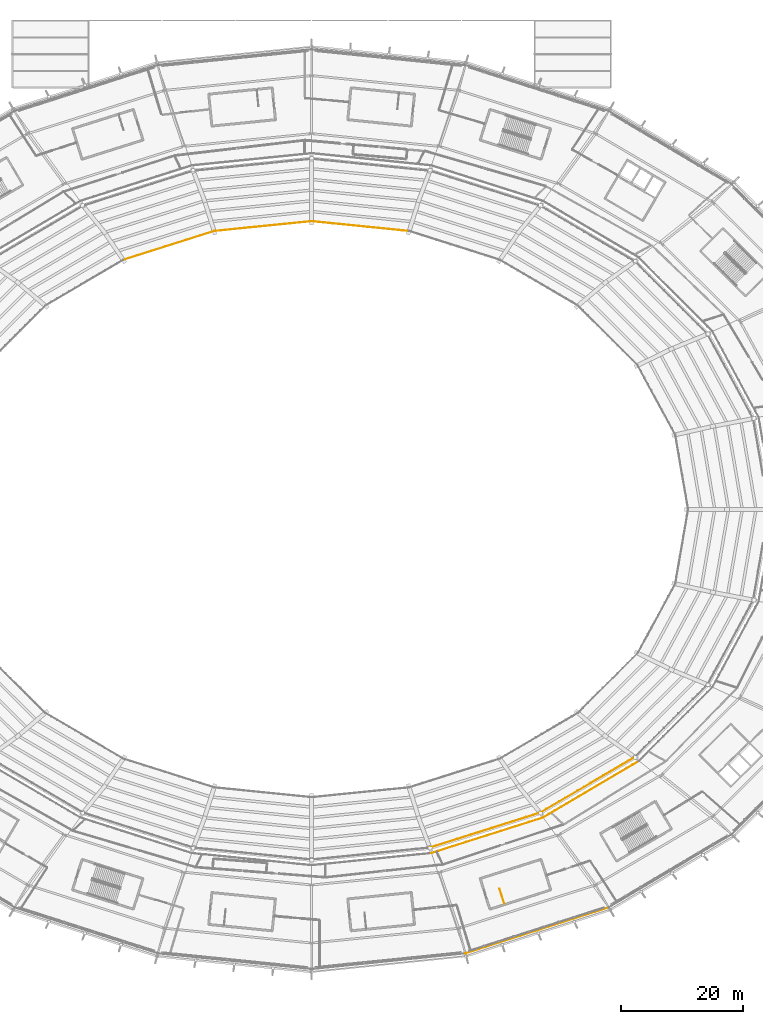
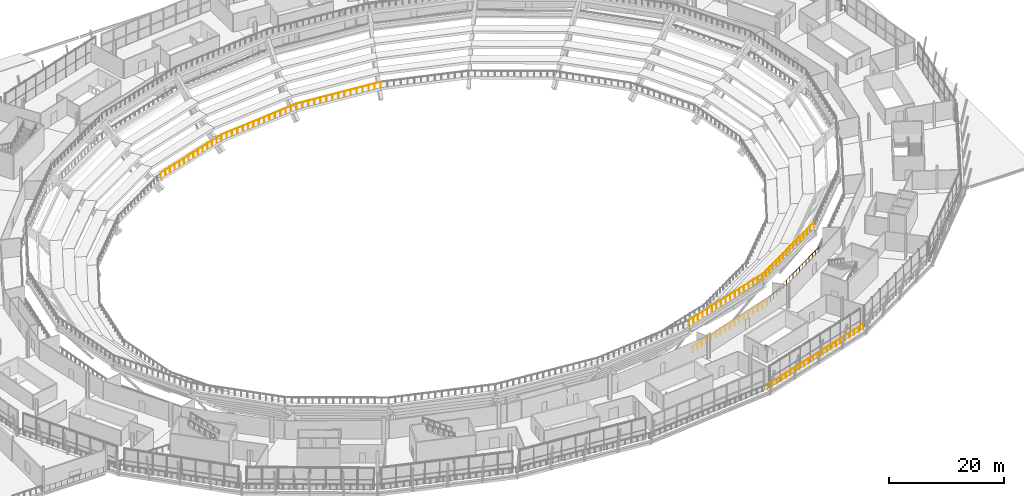
# One storey, part 116 of 126: 9 railings.
"""IFC4 building model written with IfcOpenShell, lengths in metres."""

from ifc_helpers import new_model, si_unit, direction, frame, origin, origin_2d, place, context, subcontext, project, spatial, rectangle, extrude, material, type_object, element, save


model = new_model("IFC4")

# Units and contexts
model_context = context("Model", 3, precision=1e-05, world=origin(), true_north=direction((0.0, 1.0)))
body_context = subcontext(model_context, "Body", "Model", "MODEL_VIEW")
ifc_project = project(units=[si_unit("LENGTHUNIT", "METRE"), si_unit("AREAUNIT", "SQUARE_METRE"), si_unit("VOLUMEUNIT", "CUBIC_METRE"), si_unit("PLANEANGLEUNIT", "RADIAN"), si_unit("MASSUNIT", "GRAM", prefix="KILO")], contexts=[model_context])

# Site, building, storey
site_placement = place(None, origin())
site = spatial("IfcSite", under=ifc_project, at=site_placement, CompositionType="ELEMENT")
building_placement = place(site_placement, origin())
building = spatial("IfcBuilding", under=site, at=building_placement, Name="Zlatoyarsky Gate Stadium", CompositionType="ELEMENT")
storey_placement = place(building_placement, frame((0.0, 0.0, 20.800048828125)))
storey = spatial("IfcBuildingStorey", under=building, at=storey_placement, Name="L04", CompositionType="ELEMENT", Elevation=20.800048828125)

# Railings
ifc_material_1 = material(Name="Galvanised steel sightline guardrail", Category="steel")
railing_type_1 = type_object("IfcRailingType", Name="BOWL FRONT SIGHTLINE GUARDRAIL 1150", PredefinedType="GUARDRAIL", material=ifc_material_1)
railing_1_placement = place(storey_placement, frame((126.956298828125, 125.54345703125, -4.400146484375)))
element("IfcRailing", 1, at=railing_1_placement, inside=storey, type_object=railing_type_1, Name="Upper bowl front guardrail 05", PredefinedType="GUARDRAIL", context=body_context, shape_type="SweptSolid", body=[
    extrude(rectangle(XDim=0.048095703125, YDim=0.048095703125, at=origin_2d()), frame((0.0, 0.0, 1.1259765625), z_axis=(-0.994970193255, 0.100171425733, 0.0), x_axis=(-0.100171425733, -0.994970193255, 0.0)), (0.0, 0.0, 1.0), 16.036865234375),
    extrude(rectangle(XDim=0.0419921875, YDim=0.0419921875, at=origin_2d()), origin(), (0.0, 0.0, 1.0), 1.101806640625),
    extrude(rectangle(XDim=0.0419921875, YDim=0.0419921875, at=origin_2d()), frame((-1.1396484375, 0.11474609375, 0.0)), (0.0, 0.0, 1.0), 1.101806640625),
    extrude(rectangle(XDim=0.0419921875, YDim=0.0419921875, at=origin_2d()), frame((-2.279541015625, 0.2294921875, 0.0)), (0.0, 0.0, 1.0), 1.101806640625),
    extrude(rectangle(XDim=0.0419921875, YDim=0.0419921875, at=origin_2d()), frame((-3.419189453125, 0.34423828125, 0.0)), (0.0, 0.0, 1.0), 1.101806640625),
    extrude(rectangle(XDim=0.0419921875, YDim=0.0419921875, at=origin_2d()), frame((-4.558837890625, 0.458984375, 0.0)), (0.0, 0.0, 1.0), 1.101806640625),
    extrude(rectangle(XDim=0.0419921875, YDim=0.0419921875, at=origin_2d()), frame((-5.69873046875, 0.57373046875, 0.0)), (0.0, 0.0, 1.0), 1.101806640625),
    extrude(rectangle(XDim=0.0419921875, YDim=0.0419921875, at=origin_2d()), frame((-6.83837890625, 0.6884765625, 0.0)), (0.0, 0.0, 1.0), 1.101806640625),
    extrude(rectangle(XDim=0.0419921875, YDim=0.0419921875, at=origin_2d()), frame((-7.97802734375, 0.80322265625, 0.0)), (0.0, 0.0, 1.0), 1.101806640625),
    extrude(rectangle(XDim=0.0419921875, YDim=0.0419921875, at=origin_2d()), frame((-9.117919921875, 0.91796875, 0.0)), (0.0, 0.0, 1.0), 1.101806640625),
    extrude(rectangle(XDim=0.0419921875, YDim=0.0419921875, at=origin_2d()), frame((-10.257568359375, 1.03271484375, 0.0)), (0.0, 0.0, 1.0), 1.101806640625),
    extrude(rectangle(XDim=0.0419921875, YDim=0.0419921875, at=origin_2d()), frame((-11.3974609375, 1.1474609375, 0.0)), (0.0, 0.0, 1.0), 1.101806640625),
    extrude(rectangle(XDim=0.0419921875, YDim=0.0419921875, at=origin_2d()), frame((-12.537109375, 1.26220703125, 0.0)), (0.0, 0.0, 1.0), 1.101806640625),
    extrude(rectangle(XDim=0.0419921875, YDim=0.0419921875, at=origin_2d()), frame((-13.6767578125, 1.376953125, 0.0)), (0.0, 0.0, 1.0), 1.101806640625),
    extrude(rectangle(XDim=0.0419921875, YDim=0.0419921875, at=origin_2d()), frame((-14.816650390625, 1.49169921875, 0.0)), (0.0, 0.0, 1.0), 1.101806640625),
    extrude(rectangle(XDim=0.0419921875, YDim=0.0419921875, at=origin_2d()), frame((-15.956298828125, 1.6064453125, 0.0)), (0.0, 0.0, 1.0), 1.101806640625),
])
railing_2_placement = place(storey_placement, frame((111.0, 127.14990234375, -4.400146484375)))
element("IfcRailing", 2, at=railing_2_placement, inside=storey, type_object=railing_type_1, Name="Upper bowl front guardrail 06", PredefinedType="GUARDRAIL", context=body_context, shape_type="SweptSolid", body=[
    extrude(rectangle(XDim=0.048095703125, YDim=0.048095703125, at=origin_2d()), frame((0.0, 0.0, 1.1259765625), z_axis=(-0.994970193255, -0.100171425733, 0.0), x_axis=(0.100171425733, -0.994970193255, 0.0)), (0.0, 0.0, 1.0), 16.036865234375),
    extrude(rectangle(XDim=0.0419921875, YDim=0.0419921875, at=origin_2d()), origin(), (0.0, 0.0, 1.0), 1.101806640625),
    extrude(rectangle(XDim=0.0419921875, YDim=0.0419921875, at=origin_2d()), frame((-1.1396484375, -0.11474609375, 0.0)), (0.0, 0.0, 1.0), 1.101806640625),
    extrude(rectangle(XDim=0.0419921875, YDim=0.0419921875, at=origin_2d()), frame((-2.279541015625, -0.2294921875, 0.0)), (0.0, 0.0, 1.0), 1.101806640625),
    extrude(rectangle(XDim=0.0419921875, YDim=0.0419921875, at=origin_2d()), frame((-3.419189453125, -0.34423828125, 0.0)), (0.0, 0.0, 1.0), 1.101806640625),
    extrude(rectangle(XDim=0.0419921875, YDim=0.0419921875, at=origin_2d()), frame((-4.558837890625, -0.458984375, 0.0)), (0.0, 0.0, 1.0), 1.101806640625),
    extrude(rectangle(XDim=0.0419921875, YDim=0.0419921875, at=origin_2d()), frame((-5.69873046875, -0.57373046875, 0.0)), (0.0, 0.0, 1.0), 1.101806640625),
    extrude(rectangle(XDim=0.0419921875, YDim=0.0419921875, at=origin_2d()), frame((-6.83837890625, -0.6884765625, 0.0)), (0.0, 0.0, 1.0), 1.101806640625),
    extrude(rectangle(XDim=0.0419921875, YDim=0.0419921875, at=origin_2d()), frame((-7.97802734375, -0.80322265625, 0.0)), (0.0, 0.0, 1.0), 1.101806640625),
    extrude(rectangle(XDim=0.0419921875, YDim=0.0419921875, at=origin_2d()), frame((-9.117919921875, -0.91796875, 0.0)), (0.0, 0.0, 1.0), 1.101806640625),
    extrude(rectangle(XDim=0.0419921875, YDim=0.0419921875, at=origin_2d()), frame((-10.257568359375, -1.03271484375, 0.0)), (0.0, 0.0, 1.0), 1.101806640625),
    extrude(rectangle(XDim=0.0419921875, YDim=0.0419921875, at=origin_2d()), frame((-11.3974609375, -1.1474609375, 0.0)), (0.0, 0.0, 1.0), 1.101806640625),
    extrude(rectangle(XDim=0.0419921875, YDim=0.0419921875, at=origin_2d()), frame((-12.537109375, -1.26220703125, 0.0)), (0.0, 0.0, 1.0), 1.101806640625),
    extrude(rectangle(XDim=0.0419921875, YDim=0.0419921875, at=origin_2d()), frame((-13.6767578125, -1.376953125, 0.0)), (0.0, 0.0, 1.0), 1.101806640625),
    extrude(rectangle(XDim=0.0419921875, YDim=0.0419921875, at=origin_2d()), frame((-14.816650390625, -1.49169921875, 0.0)), (0.0, 0.0, 1.0), 1.101806640625),
    extrude(rectangle(XDim=0.0419921875, YDim=0.0419921875, at=origin_2d()), frame((-15.956298828125, -1.6064453125, 0.0)), (0.0, 0.0, 1.0), 1.101806640625),
])
railing_3_placement = place(storey_placement, frame((95.043701171875, 125.54345703125, -4.400146484375)))
element("IfcRailing", 3, at=railing_3_placement, inside=storey, type_object=railing_type_1, Name="Upper bowl front guardrail 07", PredefinedType="GUARDRAIL", context=body_context, shape_type="SweptSolid", body=[
    extrude(rectangle(XDim=0.048095703125, YDim=0.048095703125, at=origin_2d()), frame((0.0, 0.0, 1.1259765625), z_axis=(-0.953304525626, -0.30201073064, 0.0), x_axis=(0.30201073064, -0.953304525626, 0.0)), (0.0, 0.0, 1.0), 15.596923828125),
    extrude(rectangle(XDim=0.0419921875, YDim=0.0419921875, at=origin_2d()), origin(), (0.0, 0.0, 1.0), 1.101806640625),
    extrude(rectangle(XDim=0.0419921875, YDim=0.0419921875, at=origin_2d()), frame((-1.143798828125, -0.3623046875, 0.0)), (0.0, 0.0, 1.0), 1.101806640625),
    extrude(rectangle(XDim=0.0419921875, YDim=0.0419921875, at=origin_2d()), frame((-2.28759765625, -0.724609375, 0.0)), (0.0, 0.0, 1.0), 1.101806640625),
    extrude(rectangle(XDim=0.0419921875, YDim=0.0419921875, at=origin_2d()), frame((-3.43115234375, -1.0869140625, 0.0)), (0.0, 0.0, 1.0), 1.101806640625),
    extrude(rectangle(XDim=0.0419921875, YDim=0.0419921875, at=origin_2d()), frame((-4.574951171875, -1.449462890625, 0.0)), (0.0, 0.0, 1.0), 1.101806640625),
    extrude(rectangle(XDim=0.0419921875, YDim=0.0419921875, at=origin_2d()), frame((-5.71875, -1.811767578125, 0.0)), (0.0, 0.0, 1.0), 1.101806640625),
    extrude(rectangle(XDim=0.0419921875, YDim=0.0419921875, at=origin_2d()), frame((-6.862548828125, -2.174072265625, 0.0)), (0.0, 0.0, 1.0), 1.101806640625),
    extrude(rectangle(XDim=0.0419921875, YDim=0.0419921875, at=origin_2d()), frame((-8.006103515625, -2.536376953125, 0.0)), (0.0, 0.0, 1.0), 1.101806640625),
    extrude(rectangle(XDim=0.0419921875, YDim=0.0419921875, at=origin_2d()), frame((-9.14990234375, -2.898681640625, 0.0)), (0.0, 0.0, 1.0), 1.101806640625),
    extrude(rectangle(XDim=0.0419921875, YDim=0.0419921875, at=origin_2d()), frame((-10.293701171875, -3.260986328125, 0.0)), (0.0, 0.0, 1.0), 1.101806640625),
    extrude(rectangle(XDim=0.0419921875, YDim=0.0419921875, at=origin_2d()), frame((-11.4375, -3.62353515625, 0.0)), (0.0, 0.0, 1.0), 1.101806640625),
    extrude(rectangle(XDim=0.0419921875, YDim=0.0419921875, at=origin_2d()), frame((-12.5810546875, -3.98583984375, 0.0)), (0.0, 0.0, 1.0), 1.101806640625),
    extrude(rectangle(XDim=0.0419921875, YDim=0.0419921875, at=origin_2d()), frame((-13.724853515625, -4.34814453125, 0.0)), (0.0, 0.0, 1.0), 1.101806640625),
    extrude(rectangle(XDim=0.0419921875, YDim=0.0419921875, at=origin_2d()), frame((-14.86865234375, -4.71044921875, 0.0)), (0.0, 0.0, 1.0), 1.101806640625),
])
ifc_material_2 = material(Name="Powder-coated steel tubular guardrail", Category="steel")
railing_type_2 = type_object("IfcRailingType", Name="CONCOURSE SLAB EDGE GUARDRAIL 1200", PredefinedType="GUARDRAIL", material=ifc_material_2)
railing_4_placement = place(storey_placement, frame((130.37255859375, 24.604248046875, 5.099853515625)))
element("IfcRailing", 4, at=railing_4_placement, inside=storey, type_object=railing_type_2, Name="Upper bowl back guardrail 19", PredefinedType="GUARDRAIL", context=body_context, shape_type="SweptSolid", body=[
    extrude(rectangle(XDim=0.048095703125, YDim=0.048095703125, at=origin_2d()), frame((0.0, 0.0, 1.17578125), z_axis=(0.953150168242, 0.302497531858, 0.0), x_axis=(-0.302497531858, 0.953150168242, 0.0)), (0.0, 0.0, 1.0), 18.939697265625),
    extrude(rectangle(XDim=0.0419921875, YDim=0.0419921875, at=origin_2d()), origin(), (0.0, 0.0, 1.0), 1.15185546875),
    extrude(rectangle(XDim=0.0419921875, YDim=0.0419921875, at=origin_2d()), frame((1.128173828125, 0.358154296875, 0.0)), (0.0, 0.0, 1.0), 1.15185546875),
    extrude(rectangle(XDim=0.0419921875, YDim=0.0419921875, at=origin_2d()), frame((2.256591796875, 0.716064453125, 0.0)), (0.0, 0.0, 1.0), 1.15185546875),
    extrude(rectangle(XDim=0.0419921875, YDim=0.0419921875, at=origin_2d()), frame((3.384765625, 1.07421875, 0.0)), (0.0, 0.0, 1.0), 1.15185546875),
    extrude(rectangle(XDim=0.0419921875, YDim=0.0419921875, at=origin_2d()), frame((4.51318359375, 1.432373046875, 0.0)), (0.0, 0.0, 1.0), 1.15185546875),
    extrude(rectangle(XDim=0.0419921875, YDim=0.0419921875, at=origin_2d()), frame((5.641357421875, 1.790283203125, 0.0)), (0.0, 0.0, 1.0), 1.15185546875),
    extrude(rectangle(XDim=0.0419921875, YDim=0.0419921875, at=origin_2d()), frame((6.769775390625, 2.1484375, 0.0)), (0.0, 0.0, 1.0), 1.15185546875),
    extrude(rectangle(XDim=0.0419921875, YDim=0.0419921875, at=origin_2d()), frame((7.89794921875, 2.506591796875, 0.0)), (0.0, 0.0, 1.0), 1.15185546875),
    extrude(rectangle(XDim=0.0419921875, YDim=0.0419921875, at=origin_2d()), frame((9.0263671875, 2.86474609375, 0.0)), (0.0, 0.0, 1.0), 1.15185546875),
    extrude(rectangle(XDim=0.0419921875, YDim=0.0419921875, at=origin_2d()), frame((10.154541015625, 3.22265625, 0.0)), (0.0, 0.0, 1.0), 1.15185546875),
    extrude(rectangle(XDim=0.0419921875, YDim=0.0419921875, at=origin_2d()), frame((11.28271484375, 3.580810546875, 0.0)), (0.0, 0.0, 1.0), 1.15185546875),
    extrude(rectangle(XDim=0.0419921875, YDim=0.0419921875, at=origin_2d()), frame((12.4111328125, 3.93896484375, 0.0)), (0.0, 0.0, 1.0), 1.15185546875),
    extrude(rectangle(XDim=0.0419921875, YDim=0.0419921875, at=origin_2d()), frame((13.539306640625, 4.296875, 0.0)), (0.0, 0.0, 1.0), 1.15185546875),
    extrude(rectangle(XDim=0.0419921875, YDim=0.0419921875, at=origin_2d()), frame((14.667724609375, 4.655029296875, 0.0)), (0.0, 0.0, 1.0), 1.15185546875),
    extrude(rectangle(XDim=0.0419921875, YDim=0.0419921875, at=origin_2d()), frame((15.7958984375, 5.01318359375, 0.0)), (0.0, 0.0, 1.0), 1.15185546875),
    extrude(rectangle(XDim=0.0419921875, YDim=0.0419921875, at=origin_2d()), frame((16.92431640625, 5.37109375, 0.0)), (0.0, 0.0, 1.0), 1.15185546875),
    extrude(rectangle(XDim=0.0419921875, YDim=0.0419921875, at=origin_2d()), frame((18.052490234375, 5.729248046875, 0.0)), (0.0, 0.0, 1.0), 1.15185546875),
])
railing_5_placement = place(storey_placement, frame((130.61328125, 23.705810546875, 0.0)))
element("IfcRailing", 5, at=railing_5_placement, inside=storey, type_object=railing_type_2, Name="L04 inner bowl edge guardrail 19", PredefinedType="GUARDRAIL", context=body_context, shape_type="SweptSolid", body=[
    extrude(rectangle(XDim=0.048095703125, YDim=0.048095703125, at=origin_2d()), frame((0.0, 0.0, 1.17578125), z_axis=(0.952820580538, 0.303534085901, 0.0), x_axis=(-0.303534085901, 0.952820580538, 0.0)), (0.0, 0.0, 1.0), 19.181640625),
    extrude(rectangle(XDim=0.0419921875, YDim=0.0419921875, at=origin_2d()), origin(), (0.0, 0.0, 1.0), 1.15185546875),
    extrude(rectangle(XDim=0.0419921875, YDim=0.0419921875, at=origin_2d()), frame((1.142333984375, 0.36376953125, 0.0)), (0.0, 0.0, 1.0), 1.15185546875),
    extrude(rectangle(XDim=0.0419921875, YDim=0.0419921875, at=origin_2d()), frame((2.28466796875, 0.727783203125, 0.0)), (0.0, 0.0, 1.0), 1.15185546875),
    extrude(rectangle(XDim=0.0419921875, YDim=0.0419921875, at=origin_2d()), frame((3.4267578125, 1.091796875, 0.0)), (0.0, 0.0, 1.0), 1.15185546875),
    extrude(rectangle(XDim=0.0419921875, YDim=0.0419921875, at=origin_2d()), frame((4.569091796875, 1.45556640625, 0.0)), (0.0, 0.0, 1.0), 1.15185546875),
    extrude(rectangle(XDim=0.0419921875, YDim=0.0419921875, at=origin_2d()), frame((5.71142578125, 1.8193359375, 0.0)), (0.0, 0.0, 1.0), 1.15185546875),
    extrude(rectangle(XDim=0.0419921875, YDim=0.0419921875, at=origin_2d()), frame((6.853759765625, 2.183349609375, 0.0)), (0.0, 0.0, 1.0), 1.15185546875),
    extrude(rectangle(XDim=0.0419921875, YDim=0.0419921875, at=origin_2d()), frame((7.99609375, 2.54736328125, 0.0)), (0.0, 0.0, 1.0), 1.15185546875),
    extrude(rectangle(XDim=0.0419921875, YDim=0.0419921875, at=origin_2d()), frame((9.13818359375, 2.9111328125, 0.0)), (0.0, 0.0, 1.0), 1.15185546875),
    extrude(rectangle(XDim=0.0419921875, YDim=0.0419921875, at=origin_2d()), frame((10.280517578125, 3.27490234375, 0.0)), (0.0, 0.0, 1.0), 1.15185546875),
    extrude(rectangle(XDim=0.0419921875, YDim=0.0419921875, at=origin_2d()), frame((11.4228515625, 3.638916015625, 0.0)), (0.0, 0.0, 1.0), 1.15185546875),
    extrude(rectangle(XDim=0.0419921875, YDim=0.0419921875, at=origin_2d()), frame((12.565185546875, 4.0029296875, 0.0)), (0.0, 0.0, 1.0), 1.15185546875),
    extrude(rectangle(XDim=0.0419921875, YDim=0.0419921875, at=origin_2d()), frame((13.70751953125, 4.36669921875, 0.0)), (0.0, 0.0, 1.0), 1.15185546875),
    extrude(rectangle(XDim=0.0419921875, YDim=0.0419921875, at=origin_2d()), frame((14.849853515625, 4.73046875, 0.0)), (0.0, 0.0, 1.0), 1.15185546875),
    extrude(rectangle(XDim=0.0419921875, YDim=0.0419921875, at=origin_2d()), frame((15.991943359375, 5.094482421875, 0.0)), (0.0, 0.0, 1.0), 1.15185546875),
    extrude(rectangle(XDim=0.0419921875, YDim=0.0419921875, at=origin_2d()), frame((17.13427734375, 5.45849609375, 0.0)), (0.0, 0.0, 1.0), 1.15185546875),
    extrude(rectangle(XDim=0.0419921875, YDim=0.0419921875, at=origin_2d()), frame((18.276611328125, 5.822265625, 0.0)), (0.0, 0.0, 1.0), 1.15185546875),
])
railing_6_placement = place(storey_placement, frame((148.425048828125, 30.33349609375, 5.099853515625)))
element("IfcRailing", 6, at=railing_6_placement, inside=storey, type_object=railing_type_2, Name="Upper bowl back guardrail 20", PredefinedType="GUARDRAIL", context=body_context, shape_type="SweptSolid", body=[
    extrude(rectangle(XDim=0.048095703125, YDim=0.048095703125, at=origin_2d()), frame((0.0, 0.0, 1.17578125), z_axis=(0.862050412529, 0.506822539217, 0.0), x_axis=(-0.506822539217, 0.862050412529, 0.0)), (0.0, 0.0, 1.0), 17.982666015625),
    extrude(rectangle(XDim=0.0419921875, YDim=0.0419921875, at=origin_2d()), origin(), (0.0, 0.0, 1.0), 1.15185546875),
    extrude(rectangle(XDim=0.0419921875, YDim=0.0419921875, at=origin_2d()), frame((1.033447265625, 0.607666015625, 0.0)), (0.0, 0.0, 1.0), 1.15185546875),
    extrude(rectangle(XDim=0.0419921875, YDim=0.0419921875, at=origin_2d()), frame((2.06689453125, 1.215087890625, 0.0)), (0.0, 0.0, 1.0), 1.15185546875),
    extrude(rectangle(XDim=0.0419921875, YDim=0.0419921875, at=origin_2d()), frame((3.100341796875, 1.82275390625, 0.0)), (0.0, 0.0, 1.0), 1.15185546875),
    extrude(rectangle(XDim=0.0419921875, YDim=0.0419921875, at=origin_2d()), frame((4.1337890625, 2.430419921875, 0.0)), (0.0, 0.0, 1.0), 1.15185546875),
    extrude(rectangle(XDim=0.0419921875, YDim=0.0419921875, at=origin_2d()), frame((5.167236328125, 3.0380859375, 0.0)), (0.0, 0.0, 1.0), 1.15185546875),
    extrude(rectangle(XDim=0.0419921875, YDim=0.0419921875, at=origin_2d()), frame((6.20068359375, 3.6455078125, 0.0)), (0.0, 0.0, 1.0), 1.15185546875),
    extrude(rectangle(XDim=0.0419921875, YDim=0.0419921875, at=origin_2d()), frame((7.234130859375, 4.253173828125, 0.0)), (0.0, 0.0, 1.0), 1.15185546875),
    extrude(rectangle(XDim=0.0419921875, YDim=0.0419921875, at=origin_2d()), frame((8.267822265625, 4.86083984375, 0.0)), (0.0, 0.0, 1.0), 1.15185546875),
    extrude(rectangle(XDim=0.0419921875, YDim=0.0419921875, at=origin_2d()), frame((9.30126953125, 5.468505859375, 0.0)), (0.0, 0.0, 1.0), 1.15185546875),
    extrude(rectangle(XDim=0.0419921875, YDim=0.0419921875, at=origin_2d()), frame((10.334716796875, 6.075927734375, 0.0)), (0.0, 0.0, 1.0), 1.15185546875),
    extrude(rectangle(XDim=0.0419921875, YDim=0.0419921875, at=origin_2d()), frame((11.3681640625, 6.68359375, 0.0)), (0.0, 0.0, 1.0), 1.15185546875),
    extrude(rectangle(XDim=0.0419921875, YDim=0.0419921875, at=origin_2d()), frame((12.401611328125, 7.291259765625, 0.0)), (0.0, 0.0, 1.0), 1.15185546875),
    extrude(rectangle(XDim=0.0419921875, YDim=0.0419921875, at=origin_2d()), frame((13.43505859375, 7.89892578125, 0.0)), (0.0, 0.0, 1.0), 1.15185546875),
    extrude(rectangle(XDim=0.0419921875, YDim=0.0419921875, at=origin_2d()), frame((14.468505859375, 8.50634765625, 0.0)), (0.0, 0.0, 1.0), 1.15185546875),
    extrude(rectangle(XDim=0.0419921875, YDim=0.0419921875, at=origin_2d()), frame((15.501953125, 9.114013671875, 0.0)), (0.0, 0.0, 1.0), 1.15185546875),
])
railing_7_placement = place(storey_placement, frame((148.889892578125, 29.528076171875, 0.0)))
element("IfcRailing", 7, at=railing_7_placement, inside=storey, type_object=railing_type_2, Name="L04 inner bowl edge guardrail 20", PredefinedType="GUARDRAIL", context=body_context, shape_type="SweptSolid", body=[
    extrude(rectangle(XDim=0.048095703125, YDim=0.048095703125, at=origin_2d()), frame((0.0, 0.0, 1.17578125), z_axis=(0.861226688102, 0.508221006749, 0.0), x_axis=(-0.508221006749, 0.861226688102, 0.0)), (0.0, 0.0, 1.0), 18.223876953125),
    extrude(rectangle(XDim=0.0419921875, YDim=0.0419921875, at=origin_2d()), origin(), (0.0, 0.0, 1.0), 1.15185546875),
    extrude(rectangle(XDim=0.0419921875, YDim=0.0419921875, at=origin_2d()), frame((0.98095703125, 0.578857421875, 0.0)), (0.0, 0.0, 1.0), 1.15185546875),
    extrude(rectangle(XDim=0.0419921875, YDim=0.0419921875, at=origin_2d()), frame((1.9619140625, 1.15771484375, 0.0)), (0.0, 0.0, 1.0), 1.15185546875),
    extrude(rectangle(XDim=0.0419921875, YDim=0.0419921875, at=origin_2d()), frame((2.94287109375, 1.736572265625, 0.0)), (0.0, 0.0, 1.0), 1.15185546875),
    extrude(rectangle(XDim=0.0419921875, YDim=0.0419921875, at=origin_2d()), frame((3.923828125, 2.3154296875, 0.0)), (0.0, 0.0, 1.0), 1.15185546875),
    extrude(rectangle(XDim=0.0419921875, YDim=0.0419921875, at=origin_2d()), frame((4.904541015625, 2.894287109375, 0.0)), (0.0, 0.0, 1.0), 1.15185546875),
    extrude(rectangle(XDim=0.0419921875, YDim=0.0419921875, at=origin_2d()), frame((5.885498046875, 3.47314453125, 0.0)), (0.0, 0.0, 1.0), 1.15185546875),
    extrude(rectangle(XDim=0.0419921875, YDim=0.0419921875, at=origin_2d()), frame((6.866455078125, 4.052001953125, 0.0)), (0.0, 0.0, 1.0), 1.15185546875),
    extrude(rectangle(XDim=0.0419921875, YDim=0.0419921875, at=origin_2d()), frame((7.847412109375, 4.630859375, 0.0)), (0.0, 0.0, 1.0), 1.15185546875),
    extrude(rectangle(XDim=0.0419921875, YDim=0.0419921875, at=origin_2d()), frame((8.828369140625, 5.209716796875, 0.0)), (0.0, 0.0, 1.0), 1.15185546875),
    extrude(rectangle(XDim=0.0419921875, YDim=0.0419921875, at=origin_2d()), frame((9.809326171875, 5.78857421875, 0.0)), (0.0, 0.0, 1.0), 1.15185546875),
    extrude(rectangle(XDim=0.0419921875, YDim=0.0419921875, at=origin_2d()), frame((10.790283203125, 6.367431640625, 0.0)), (0.0, 0.0, 1.0), 1.15185546875),
    extrude(rectangle(XDim=0.0419921875, YDim=0.0419921875, at=origin_2d()), frame((11.77099609375, 6.9462890625, 0.0)), (0.0, 0.0, 1.0), 1.15185546875),
    extrude(rectangle(XDim=0.0419921875, YDim=0.0419921875, at=origin_2d()), frame((12.751953125, 7.525146484375, 0.0)), (0.0, 0.0, 1.0), 1.15185546875),
    extrude(rectangle(XDim=0.0419921875, YDim=0.0419921875, at=origin_2d()), frame((13.73291015625, 8.10400390625, 0.0)), (0.0, 0.0, 1.0), 1.15185546875),
    extrude(rectangle(XDim=0.0419921875, YDim=0.0419921875, at=origin_2d()), frame((14.7138671875, 8.682861328125, 0.0)), (0.0, 0.0, 1.0), 1.15185546875),
    extrude(rectangle(XDim=0.0419921875, YDim=0.0419921875, at=origin_2d()), frame((15.69482421875, 9.26171875, 0.0)), (0.0, 0.0, 1.0), 1.15185546875),
])
railing_8_placement = place(storey_placement, frame((136.17529296875, 7.295166015625, 0.0)))
element("IfcRailing", 8, at=railing_8_placement, inside=storey, type_object=railing_type_2, Name="L04 outer slab edge guardrail 19", PredefinedType="GUARDRAIL", context=body_context, shape_type="SweptSolid", body=[
    extrude(rectangle(XDim=0.048095703125, YDim=0.048095703125, at=origin_2d()), frame((0.0, 0.0, 1.17578125), z_axis=(0.95227674854, 0.305235964773, 0.0), x_axis=(-0.305235964773, 0.95227674854, 0.0)), (0.0, 0.0, 1.0), 24.63525390625),
    extrude(rectangle(XDim=0.0419921875, YDim=0.0419921875, at=origin_2d()), origin(), (0.0, 0.0, 1.0), 1.15185546875),
    extrude(rectangle(XDim=0.0419921875, YDim=0.0419921875, at=origin_2d()), frame((1.1171875, 0.358154296875, 0.0)), (0.0, 0.0, 1.0), 1.15185546875),
    extrude(rectangle(XDim=0.0419921875, YDim=0.0419921875, at=origin_2d()), frame((2.234130859375, 0.716064453125, 0.0)), (0.0, 0.0, 1.0), 1.15185546875),
    extrude(rectangle(XDim=0.0419921875, YDim=0.0419921875, at=origin_2d()), frame((3.351318359375, 1.07421875, 0.0)), (0.0, 0.0, 1.0), 1.15185546875),
    extrude(rectangle(XDim=0.0419921875, YDim=0.0419921875, at=origin_2d()), frame((4.468505859375, 1.432373046875, 0.0)), (0.0, 0.0, 1.0), 1.15185546875),
    extrude(rectangle(XDim=0.0419921875, YDim=0.0419921875, at=origin_2d()), frame((5.585693359375, 1.790283203125, 0.0)), (0.0, 0.0, 1.0), 1.15185546875),
    extrude(rectangle(XDim=0.0419921875, YDim=0.0419921875, at=origin_2d()), frame((6.70263671875, 2.1484375, 0.0)), (0.0, 0.0, 1.0), 1.15185546875),
    extrude(rectangle(XDim=0.0419921875, YDim=0.0419921875, at=origin_2d()), frame((7.81982421875, 2.506591796875, 0.0)), (0.0, 0.0, 1.0), 1.15185546875),
    extrude(rectangle(XDim=0.0419921875, YDim=0.0419921875, at=origin_2d()), frame((8.93701171875, 2.864501953125, 0.0)), (0.0, 0.0, 1.0), 1.15185546875),
    extrude(rectangle(XDim=0.0419921875, YDim=0.0419921875, at=origin_2d()), frame((10.053955078125, 3.22265625, 0.0)), (0.0, 0.0, 1.0), 1.15185546875),
    extrude(rectangle(XDim=0.0419921875, YDim=0.0419921875, at=origin_2d()), frame((11.171142578125, 3.580810546875, 0.0)), (0.0, 0.0, 1.0), 1.15185546875),
    extrude(rectangle(XDim=0.0419921875, YDim=0.0419921875, at=origin_2d()), frame((12.288330078125, 3.938720703125, 0.0)), (0.0, 0.0, 1.0), 1.15185546875),
    extrude(rectangle(XDim=0.0419921875, YDim=0.0419921875, at=origin_2d()), frame((13.405517578125, 4.296875, 0.0)), (0.0, 0.0, 1.0), 1.15185546875),
    extrude(rectangle(XDim=0.0419921875, YDim=0.0419921875, at=origin_2d()), frame((14.5224609375, 4.655029296875, 0.0)), (0.0, 0.0, 1.0), 1.15185546875),
    extrude(rectangle(XDim=0.0419921875, YDim=0.0419921875, at=origin_2d()), frame((15.6396484375, 5.012939453125, 0.0)), (0.0, 0.0, 1.0), 1.15185546875),
    extrude(rectangle(XDim=0.0419921875, YDim=0.0419921875, at=origin_2d()), frame((16.7568359375, 5.37109375, 0.0)), (0.0, 0.0, 1.0), 1.15185546875),
    extrude(rectangle(XDim=0.0419921875, YDim=0.0419921875, at=origin_2d()), frame((17.873779296875, 5.729248046875, 0.0)), (0.0, 0.0, 1.0), 1.15185546875),
    extrude(rectangle(XDim=0.0419921875, YDim=0.0419921875, at=origin_2d()), frame((18.990966796875, 6.087158203125, 0.0)), (0.0, 0.0, 1.0), 1.15185546875),
    extrude(rectangle(XDim=0.0419921875, YDim=0.0419921875, at=origin_2d()), frame((20.108154296875, 6.4453125, 0.0)), (0.0, 0.0, 1.0), 1.15185546875),
    extrude(rectangle(XDim=0.0419921875, YDim=0.0419921875, at=origin_2d()), frame((21.225341796875, 6.803466796875, 0.0)), (0.0, 0.0, 1.0), 1.15185546875),
    extrude(rectangle(XDim=0.0419921875, YDim=0.0419921875, at=origin_2d()), frame((22.34228515625, 7.161376953125, 0.0)), (0.0, 0.0, 1.0), 1.15185546875),
    extrude(rectangle(XDim=0.0419921875, YDim=0.0419921875, at=origin_2d()), frame((23.45947265625, 7.51953125, 0.0)), (0.0, 0.0, 1.0), 1.15185546875),
])
ifc_material_3 = material(Name="Powder-coated steel stair guardrail", Category="steel")
railing_type_3 = type_object("IfcRailingType", Name="PAINTED STEEL STAIR WELL GUARDRAIL 1150", PredefinedType="GUARDRAIL", material=ifc_material_3)
railing_9_placement = place(storey_placement, frame((142.55224609375, 15.422607421875, 0.0)))
element("IfcRailing", 9, at=railing_9_placement, inside=storey, type_object=railing_type_3, Name="ST-16 L04 top well guard 1", PredefinedType="GUARDRAIL", context=body_context, shape_type="SweptSolid", body=[
    extrude(rectangle(XDim=0.048095703125, YDim=0.048095703125, at=origin_2d()), frame((0.0, 0.0, 1.1259765625), z_axis=(-0.301513330468, 0.95346196125, 0.0), x_axis=(-0.95346196125, -0.301513330468, 0.0)), (0.0, 0.0, 1.0), 2.60009765625),
    extrude(rectangle(XDim=0.0419921875, YDim=0.0419921875, at=origin_2d()), origin(), (0.0, 0.0, 1.0), 1.101806640625),
    extrude(rectangle(XDim=0.0419921875, YDim=0.0419921875, at=origin_2d()), frame((-0.26123046875, 0.826416015625, 0.0)), (0.0, 0.0, 1.0), 1.101806640625),
    extrude(rectangle(XDim=0.0419921875, YDim=0.0419921875, at=origin_2d()), frame((-0.522705078125, 1.652587890625, 0.0)), (0.0, 0.0, 1.0), 1.101806640625),
    extrude(rectangle(XDim=0.0419921875, YDim=0.0419921875, at=origin_2d()), frame((-0.783935546875, 2.47900390625, 0.0)), (0.0, 0.0, 1.0), 1.101806640625),
])

save(model, "model.ifc")
